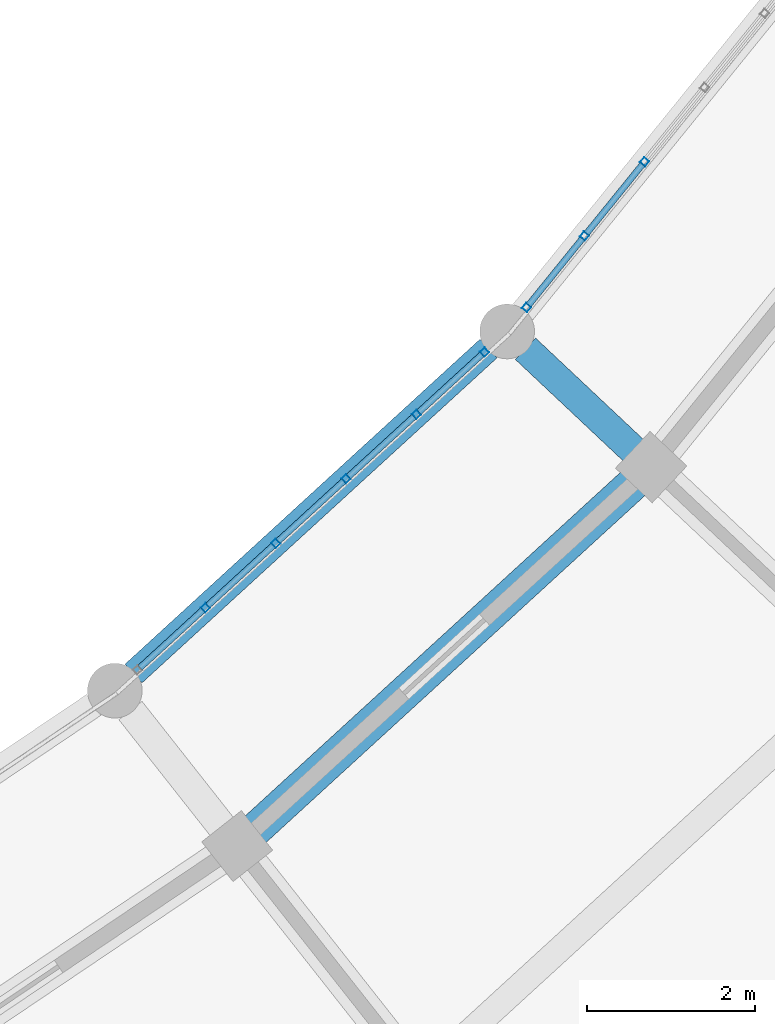
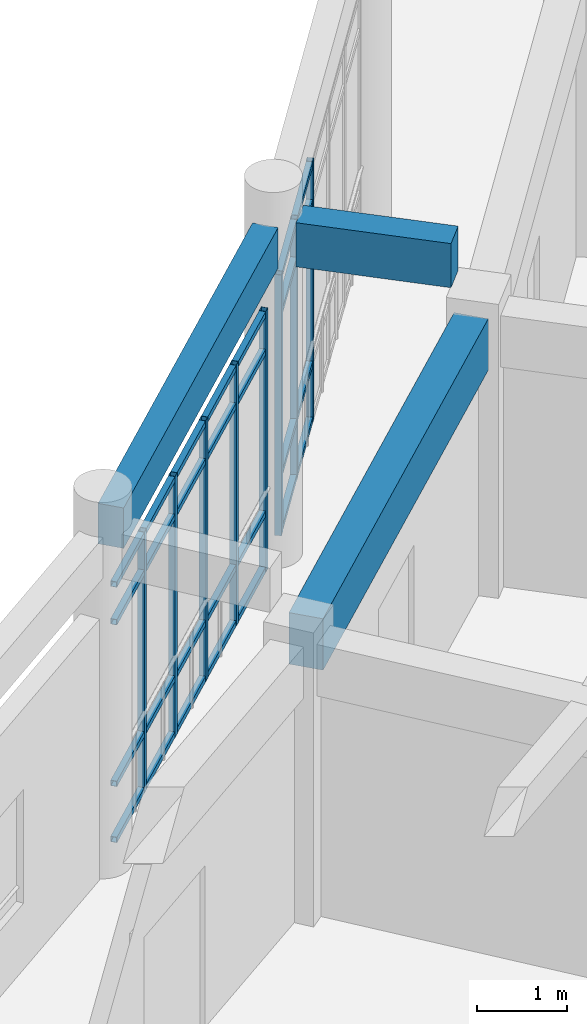
# One storey, part 43 of 159: 36 members, 3 beams, 2 elements without a shape of their own.
"""IFC4 building model written with IfcOpenShell, lengths in metres."""

from ifc_helpers import new_model, si_unit, direction, frame, origin, origin_2d, place, context, subcontext, project, spatial, rectangle, hollow_rectangle, extrude, material, material_profile, profile_set, type_object, element, aggregate, save


model = new_model("IFC4")

# Units and contexts
model_context = context("Model", 3, precision=1e-05, world=origin(), true_north=direction((0.0, 1.0)))
body_context = subcontext(model_context, "Body", "Model", "MODEL_VIEW")
ifc_project = project(units=[si_unit("LENGTHUNIT", "METRE"), si_unit("AREAUNIT", "SQUARE_METRE"), si_unit("VOLUMEUNIT", "CUBIC_METRE"), si_unit("PLANEANGLEUNIT", "RADIAN"), si_unit("MASSUNIT", "GRAM", prefix="KILO")], contexts=[model_context])

# Site, building, storey
site_placement = place(None, origin())
site = spatial("IfcSite", under=ifc_project, at=site_placement, CompositionType="ELEMENT")
building_placement = place(site_placement, origin())
building = spatial("IfcBuilding", under=site, at=building_placement, Name="Celadon Cloister-Ring School", CompositionType="ELEMENT")
storey_placement = place(building_placement, frame((0.0, 0.0, 4.5)))
storey = spatial("IfcBuildingStorey", under=building, at=storey_placement, Name="L01", CompositionType="ELEMENT", Elevation=4.5)

# Beam
ifc_material_1 = material(Name="Concrete C35/45", Category="concrete")
ifc_material_profile_1 = material_profile(ifc_material_1, rectangle(XDim=0.35009765625, YDim=0.60009765625, at=origin_2d()), Name="RC350X600")
ifc_profile_set_1 = profile_set([ifc_material_profile_1], Name="Concrete C35/45")
beam_type_1 = type_object("IfcBeamType", Name="BT-02", PredefinedType="BEAM", material=ifc_profile_set_1)
beam_1_placement = place(storey_placement, frame((119.56494140625, 28.343017578125, 4.35009765625), z_axis=(-0.728438191737, 0.685111524366, 0.0), x_axis=(-0.685111524366, -0.728438191737, 0.0)))
element("IfcBeam", 1, at=beam_1_placement, inside=storey, type_object=beam_type_1, Name="Beam 0243", PredefinedType="BEAM", context=body_context, shape_type="SweptSolid", body=[
    extrude(rectangle(XDim=0.35009765625, YDim=0.60009765625, at=origin_2d()), origin(), (0.0, 0.0, 1.0), 1.77490234375),
])

# Curtain wall, members
ifc_material_2 = material(Name="Aluminium EN AW-6063 T6", Category="aluminium")
curtain_wall_type = type_object("IfcCurtainWallType", Name="CW-01", PredefinedType="USERDEFINED", material=ifc_material_2)
curtain_wall_1_placement = place(storey_placement, origin())
curtain_wall_1 = element("IfcCurtainWall", 2, at=curtain_wall_1_placement, inside=storey, type_object=curtain_wall_type, Name="Curtain Wall 0035", ObjectType="CURTAIN WALL", PredefinedType="USERDEFINED")
ifc_material_3 = material(Name="Aluminium EN AW-6063 T6", Category="aluminium")
ifc_material_profile_2 = material_profile(ifc_material_3, hollow_rectangle(XDim=0.080078125, YDim=0.080078125, WallThickness=0.00390625, at=origin_2d()), Name="RHS80X80X4")
ifc_profile_set_2 = profile_set([ifc_material_profile_2], Name="Aluminium EN AW-6063 T6")
member_type_1 = type_object("IfcMemberType", Name="CM-03", PredefinedType="MULLION", material=ifc_profile_set_2)
member_1_placement = place(storey_placement, frame((114.469970703125, 26.48291015625, 0.0), z_axis=(0.0, 0.0, 1.0), x_axis=(-0.675468961678, 0.737388419905, 0.0)))
member_1 = element("IfcMember", 3, at=member_1_placement, type_object=member_type_1, Name="CW-01 mullion 2", PredefinedType="MULLION", context=body_context, shape_type="SweptSolid", body=[
    extrude(hollow_rectangle(XDim=0.080078125, YDim=0.080078125, WallThickness=0.00390625, at=origin_2d()), origin(), (0.0, 0.0, 1.0), 3.550048828125),
])
member_2_placement = place(storey_placement, frame((115.305908203125, 27.24853515625, 0.0), z_axis=(0.0, 0.0, 1.0), x_axis=(-0.675468961678, 0.737388419905, 0.0)))
member_2 = element("IfcMember", 4, at=member_2_placement, type_object=member_type_1, Name="CW-01 mullion 3", PredefinedType="MULLION", context=body_context, shape_type="SweptSolid", body=[
    extrude(hollow_rectangle(XDim=0.080078125, YDim=0.080078125, WallThickness=0.00390625, at=origin_2d()), origin(), (0.0, 0.0, 1.0), 3.550048828125),
])
member_3_placement = place(storey_placement, frame((116.14208984375, 28.014404296875, 0.0), z_axis=(0.0, 0.0, 1.0), x_axis=(-0.675468961678, 0.737388419905, 0.0)))
member_3 = element("IfcMember", 5, at=member_3_placement, type_object=member_type_1, Name="CW-01 mullion 4", PredefinedType="MULLION", context=body_context, shape_type="SweptSolid", body=[
    extrude(hollow_rectangle(XDim=0.080078125, YDim=0.080078125, WallThickness=0.00390625, at=origin_2d()), origin(), (0.0, 0.0, 1.0), 3.550048828125),
])
member_4_placement = place(storey_placement, frame((116.97802734375, 28.7802734375, 0.0), z_axis=(0.0, 0.0, 1.0), x_axis=(-0.675468961678, 0.737388419905, 0.0)))
member_4 = element("IfcMember", 6, at=member_4_placement, type_object=member_type_1, Name="CW-01 mullion 5", PredefinedType="MULLION", context=body_context, shape_type="SweptSolid", body=[
    extrude(hollow_rectangle(XDim=0.080078125, YDim=0.080078125, WallThickness=0.00390625, at=origin_2d()), origin(), (0.0, 0.0, 1.0), 3.550048828125),
])
member_5_placement = place(storey_placement, frame((117.784423828125, 29.51904296875, 0.0), z_axis=(0.0, 0.0, 1.0), x_axis=(-0.675468961678, 0.737388419905, 0.0)))
member_5 = element("IfcMember", 7, at=member_5_placement, type_object=member_type_1, Name="CW-01 mullion 6", PredefinedType="MULLION", context=body_context, shape_type="SweptSolid", body=[
    extrude(hollow_rectangle(XDim=0.080078125, YDim=0.080078125, WallThickness=0.00390625, at=origin_2d()), origin(), (0.0, 0.0, 1.0), 3.550048828125),
])

curtain_wall_2_placement = place(storey_placement, origin())
curtain_wall_2 = element("IfcCurtainWall", 8, at=curtain_wall_2_placement, inside=storey, type_object=curtain_wall_type, Name="Curtain Wall 0036", ObjectType="CURTAIN WALL", PredefinedType="USERDEFINED")
member_6_placement = place(storey_placement, frame((118.2841796875, 30.048095703125, 0.0), z_axis=(0.0, 0.0, 1.0), x_axis=(-0.777068192474, 0.629416415615, 0.0)))
member_6 = element("IfcMember", 9, at=member_6_placement, type_object=member_type_1, Name="CW-01 mullion 1", PredefinedType="MULLION", context=body_context, shape_type="SweptSolid", body=[
    extrude(hollow_rectangle(XDim=0.080078125, YDim=0.080078125, WallThickness=0.00390625, at=origin_2d()), origin(), (0.0, 0.0, 1.0), 3.550048828125),
])
member_7_placement = place(storey_placement, frame((118.97265625, 30.89794921875, 0.0), z_axis=(0.0, 0.0, 1.0), x_axis=(-0.777068192474, 0.629416415615, 0.0)))
member_7 = element("IfcMember", 10, at=member_7_placement, type_object=member_type_1, Name="CW-01 mullion 2", PredefinedType="MULLION", context=body_context, shape_type="SweptSolid", body=[
    extrude(hollow_rectangle(XDim=0.080078125, YDim=0.080078125, WallThickness=0.00390625, at=origin_2d()), origin(), (0.0, 0.0, 1.0), 3.550048828125),
])
member_8_placement = place(storey_placement, frame((119.686279296875, 31.779052734375, 0.0), z_axis=(0.0, 0.0, 1.0), x_axis=(-0.777068192474, 0.629416415615, 0.0)))
member_8 = element("IfcMember", 11, at=member_8_placement, type_object=member_type_1, Name="CW-01 mullion 3", PredefinedType="MULLION", context=body_context, shape_type="SweptSolid", body=[
    extrude(hollow_rectangle(XDim=0.080078125, YDim=0.080078125, WallThickness=0.00390625, at=origin_2d()), origin(), (0.0, 0.0, 1.0), 3.550048828125),
])

# Member
ifc_material_4 = material(Name="Aluminium EN AW-6063 T6", Category="aluminium")
ifc_material_profile_3 = material_profile(ifc_material_4, hollow_rectangle(XDim=0.074951171875, YDim=0.074951171875, WallThickness=0.00390625, at=origin_2d()), Name="RHS75X75X4")
ifc_profile_set_3 = profile_set([ifc_material_profile_3], Name="Aluminium EN AW-6063 T6")
member_type_2 = type_object("IfcMemberType", Name="CTM-03", PredefinedType="USERDEFINED", material=ifc_profile_set_3)
member_9_placement = place(storey_placement, frame((113.69287109375, 25.77099609375, 0.03759765625), z_axis=(0.737374014786, 0.675484686961, 0.0), x_axis=(-0.675484686961, 0.737374014786, 0.0)))
member_9 = element("IfcMember", 12, at=member_9_placement, type_object=member_type_2, Name="CW-01 transom 1.1", ObjectType="TRANSOM", PredefinedType="USERDEFINED", context=body_context, shape_type="SweptSolid", body=[
    extrude(hollow_rectangle(XDim=0.074951171875, YDim=0.074951171875, WallThickness=0.00390625, at=origin_2d()), origin(), (0.0, 0.0, 1.0), 1.013916015625),
])

member_10_placement = place(storey_placement, frame((113.69287109375, 25.77099609375, 0.800048828125), z_axis=(0.737374014786, 0.675484686961, 0.0), x_axis=(-0.675484686961, 0.737374014786, 0.0)))
member_10 = element("IfcMember", 13, at=member_10_placement, type_object=member_type_2, Name="CW-01 transom 1.2", ObjectType="TRANSOM", PredefinedType="USERDEFINED", context=body_context, shape_type="SweptSolid", body=[
    extrude(hollow_rectangle(XDim=0.074951171875, YDim=0.074951171875, WallThickness=0.00390625, at=origin_2d()), origin(), (0.0, 0.0, 1.0), 1.013916015625),
])

member_11_placement = place(storey_placement, frame((113.69287109375, 25.77099609375, 3.0), z_axis=(0.737374014786, 0.675484686961, 0.0), x_axis=(-0.675484686961, 0.737374014786, 0.0)))
member_11 = element("IfcMember", 14, at=member_11_placement, type_object=member_type_2, Name="CW-01 transom 1.3", ObjectType="TRANSOM", PredefinedType="USERDEFINED", context=body_context, shape_type="SweptSolid", body=[
    extrude(hollow_rectangle(XDim=0.074951171875, YDim=0.074951171875, WallThickness=0.00390625, at=origin_2d()), origin(), (0.0, 0.0, 1.0), 1.013916015625),
])

member_12_placement = place(storey_placement, frame((113.69287109375, 25.77099609375, 3.512451171875), z_axis=(0.737374014786, 0.675484686961, 0.0), x_axis=(-0.675484686961, 0.737374014786, 0.0)))
member_12 = element("IfcMember", 15, at=member_12_placement, type_object=member_type_2, Name="CW-01 transom 1.4", ObjectType="TRANSOM", PredefinedType="USERDEFINED", context=body_context, shape_type="SweptSolid", body=[
    extrude(hollow_rectangle(XDim=0.074951171875, YDim=0.074951171875, WallThickness=0.00390625, at=origin_2d()), origin(), (0.0, 0.0, 1.0), 1.013916015625),
])

member_13_placement = place(storey_placement, frame((114.49951171875, 26.509765625, 0.03759765625), z_axis=(0.737356040012, 0.675504308097, 0.0), x_axis=(-0.675504308097, 0.737356040012, 0.0)))
member_13 = element("IfcMember", 16, at=member_13_placement, type_object=member_type_2, Name="CW-01 transom 2.1", ObjectType="TRANSOM", PredefinedType="USERDEFINED", context=body_context, shape_type="SweptSolid", body=[
    extrude(hollow_rectangle(XDim=0.074951171875, YDim=0.074951171875, WallThickness=0.00390625, at=origin_2d()), origin(), (0.0, 0.0, 1.0), 1.053955078125),
])

member_14_placement = place(storey_placement, frame((114.49951171875, 26.509765625, 0.800048828125), z_axis=(0.737356040012, 0.675504308097, 0.0), x_axis=(-0.675504308097, 0.737356040012, 0.0)))
member_14 = element("IfcMember", 17, at=member_14_placement, type_object=member_type_2, Name="CW-01 transom 2.2", ObjectType="TRANSOM", PredefinedType="USERDEFINED", context=body_context, shape_type="SweptSolid", body=[
    extrude(hollow_rectangle(XDim=0.074951171875, YDim=0.074951171875, WallThickness=0.00390625, at=origin_2d()), origin(), (0.0, 0.0, 1.0), 1.053955078125),
])

member_15_placement = place(storey_placement, frame((114.49951171875, 26.509765625, 3.0), z_axis=(0.737356040012, 0.675504308097, 0.0), x_axis=(-0.675504308097, 0.737356040012, 0.0)))
member_15 = element("IfcMember", 18, at=member_15_placement, type_object=member_type_2, Name="CW-01 transom 2.3", ObjectType="TRANSOM", PredefinedType="USERDEFINED", context=body_context, shape_type="SweptSolid", body=[
    extrude(hollow_rectangle(XDim=0.074951171875, YDim=0.074951171875, WallThickness=0.00390625, at=origin_2d()), origin(), (0.0, 0.0, 1.0), 1.053955078125),
])

member_16_placement = place(storey_placement, frame((114.49951171875, 26.509765625, 3.512451171875), z_axis=(0.737356040012, 0.675504308097, 0.0), x_axis=(-0.675504308097, 0.737356040012, 0.0)))
member_16 = element("IfcMember", 19, at=member_16_placement, type_object=member_type_2, Name="CW-01 transom 2.4", ObjectType="TRANSOM", PredefinedType="USERDEFINED", context=body_context, shape_type="SweptSolid", body=[
    extrude(hollow_rectangle(XDim=0.074951171875, YDim=0.074951171875, WallThickness=0.00390625, at=origin_2d()), origin(), (0.0, 0.0, 1.0), 1.053955078125),
])

member_17_placement = place(storey_placement, frame((115.33544921875, 27.275634765625, 0.03759765625), z_axis=(0.737471431409, 0.675378329424, 0.0), x_axis=(-0.675378329424, 0.737471431409, 0.0)))
member_17 = element("IfcMember", 20, at=member_17_placement, type_object=member_type_2, Name="CW-01 transom 3.1", ObjectType="TRANSOM", PredefinedType="USERDEFINED", context=body_context, shape_type="SweptSolid", body=[
    extrude(hollow_rectangle(XDim=0.074951171875, YDim=0.074951171875, WallThickness=0.00390625, at=origin_2d()), origin(), (0.0, 0.0, 1.0), 1.0537109375),
])

member_18_placement = place(storey_placement, frame((115.33544921875, 27.275634765625, 0.800048828125), z_axis=(0.737471431409, 0.675378329424, 0.0), x_axis=(-0.675378329424, 0.737471431409, 0.0)))
member_18 = element("IfcMember", 21, at=member_18_placement, type_object=member_type_2, Name="CW-01 transom 3.2", ObjectType="TRANSOM", PredefinedType="USERDEFINED", context=body_context, shape_type="SweptSolid", body=[
    extrude(hollow_rectangle(XDim=0.074951171875, YDim=0.074951171875, WallThickness=0.00390625, at=origin_2d()), origin(), (0.0, 0.0, 1.0), 1.0537109375),
])

member_19_placement = place(storey_placement, frame((115.33544921875, 27.275634765625, 3.0), z_axis=(0.737471431409, 0.675378329424, 0.0), x_axis=(-0.675378329424, 0.737471431409, 0.0)))
member_19 = element("IfcMember", 22, at=member_19_placement, type_object=member_type_2, Name="CW-01 transom 3.3", ObjectType="TRANSOM", PredefinedType="USERDEFINED", context=body_context, shape_type="SweptSolid", body=[
    extrude(hollow_rectangle(XDim=0.074951171875, YDim=0.074951171875, WallThickness=0.00390625, at=origin_2d()), origin(), (0.0, 0.0, 1.0), 1.0537109375),
])

member_20_placement = place(storey_placement, frame((115.33544921875, 27.275634765625, 3.512451171875), z_axis=(0.737471431409, 0.675378329424, 0.0), x_axis=(-0.675378329424, 0.737471431409, 0.0)))
member_20 = element("IfcMember", 23, at=member_20_placement, type_object=member_type_2, Name="CW-01 transom 3.4", ObjectType="TRANSOM", PredefinedType="USERDEFINED", context=body_context, shape_type="SweptSolid", body=[
    extrude(hollow_rectangle(XDim=0.074951171875, YDim=0.074951171875, WallThickness=0.00390625, at=origin_2d()), origin(), (0.0, 0.0, 1.0), 1.0537109375),
])

member_21_placement = place(storey_placement, frame((116.17138671875, 28.04150390625, 0.03759765625), z_axis=(0.737471431409, 0.675378329424, 0.0), x_axis=(-0.675378329424, 0.737471431409, 0.0)))
member_21 = element("IfcMember", 24, at=member_21_placement, type_object=member_type_2, Name="CW-01 transom 4.1", ObjectType="TRANSOM", PredefinedType="USERDEFINED", context=body_context, shape_type="SweptSolid", body=[
    extrude(hollow_rectangle(XDim=0.074951171875, YDim=0.074951171875, WallThickness=0.00390625, at=origin_2d()), origin(), (0.0, 0.0, 1.0), 1.0537109375),
])

member_22_placement = place(storey_placement, frame((116.17138671875, 28.04150390625, 0.800048828125), z_axis=(0.737471431409, 0.675378329424, 0.0), x_axis=(-0.675378329424, 0.737471431409, 0.0)))
member_22 = element("IfcMember", 25, at=member_22_placement, type_object=member_type_2, Name="CW-01 transom 4.2", ObjectType="TRANSOM", PredefinedType="USERDEFINED", context=body_context, shape_type="SweptSolid", body=[
    extrude(hollow_rectangle(XDim=0.074951171875, YDim=0.074951171875, WallThickness=0.00390625, at=origin_2d()), origin(), (0.0, 0.0, 1.0), 1.0537109375),
])

member_23_placement = place(storey_placement, frame((116.17138671875, 28.04150390625, 3.0), z_axis=(0.737471431409, 0.675378329424, 0.0), x_axis=(-0.675378329424, 0.737471431409, 0.0)))
member_23 = element("IfcMember", 26, at=member_23_placement, type_object=member_type_2, Name="CW-01 transom 4.3", ObjectType="TRANSOM", PredefinedType="USERDEFINED", context=body_context, shape_type="SweptSolid", body=[
    extrude(hollow_rectangle(XDim=0.074951171875, YDim=0.074951171875, WallThickness=0.00390625, at=origin_2d()), origin(), (0.0, 0.0, 1.0), 1.0537109375),
])

member_24_placement = place(storey_placement, frame((116.17138671875, 28.04150390625, 3.512451171875), z_axis=(0.737471431409, 0.675378329424, 0.0), x_axis=(-0.675378329424, 0.737471431409, 0.0)))
member_24 = element("IfcMember", 27, at=member_24_placement, type_object=member_type_2, Name="CW-01 transom 4.4", ObjectType="TRANSOM", PredefinedType="USERDEFINED", context=body_context, shape_type="SweptSolid", body=[
    extrude(hollow_rectangle(XDim=0.074951171875, YDim=0.074951171875, WallThickness=0.00390625, at=origin_2d()), origin(), (0.0, 0.0, 1.0), 1.0537109375),
])

member_25_placement = place(storey_placement, frame((117.007568359375, 28.80712890625, 0.03759765625), z_axis=(0.737374014786, 0.675484686961, 0.0), x_axis=(-0.675484686961, 0.737374014786, 0.0)))
member_25 = element("IfcMember", 28, at=member_25_placement, type_object=member_type_2, Name="CW-01 transom 5.1", ObjectType="TRANSOM", PredefinedType="USERDEFINED", context=body_context, shape_type="SweptSolid", body=[
    extrude(hollow_rectangle(XDim=0.074951171875, YDim=0.074951171875, WallThickness=0.00390625, at=origin_2d()), origin(), (0.0, 0.0, 1.0), 1.013916015625),
])

member_26_placement = place(storey_placement, frame((117.007568359375, 28.80712890625, 0.800048828125), z_axis=(0.737374014786, 0.675484686961, 0.0), x_axis=(-0.675484686961, 0.737374014786, 0.0)))
member_26 = element("IfcMember", 29, at=member_26_placement, type_object=member_type_2, Name="CW-01 transom 5.2", ObjectType="TRANSOM", PredefinedType="USERDEFINED", context=body_context, shape_type="SweptSolid", body=[
    extrude(hollow_rectangle(XDim=0.074951171875, YDim=0.074951171875, WallThickness=0.00390625, at=origin_2d()), origin(), (0.0, 0.0, 1.0), 1.013916015625),
])

member_27_placement = place(storey_placement, frame((117.007568359375, 28.80712890625, 3.0), z_axis=(0.737374014786, 0.675484686961, 0.0), x_axis=(-0.675484686961, 0.737374014786, 0.0)))
member_27 = element("IfcMember", 30, at=member_27_placement, type_object=member_type_2, Name="CW-01 transom 5.3", ObjectType="TRANSOM", PredefinedType="USERDEFINED", context=body_context, shape_type="SweptSolid", body=[
    extrude(hollow_rectangle(XDim=0.074951171875, YDim=0.074951171875, WallThickness=0.00390625, at=origin_2d()), origin(), (0.0, 0.0, 1.0), 1.013916015625),
])

member_28_placement = place(storey_placement, frame((117.007568359375, 28.80712890625, 3.512451171875), z_axis=(0.737374014786, 0.675484686961, 0.0), x_axis=(-0.675484686961, 0.737374014786, 0.0)))
member_28 = element("IfcMember", 31, at=member_28_placement, type_object=member_type_2, Name="CW-01 transom 5.4", ObjectType="TRANSOM", PredefinedType="USERDEFINED", context=body_context, shape_type="SweptSolid", body=[
    extrude(hollow_rectangle(XDim=0.074951171875, YDim=0.074951171875, WallThickness=0.00390625, at=origin_2d()), origin(), (0.0, 0.0, 1.0), 1.013916015625),
])

aggregate(curtain_wall_1, [member_1, member_2, member_3, member_4, member_5, member_9, member_10, member_11, member_12, member_13, member_14, member_15, member_16, member_17, member_18, member_19, member_20, member_21, member_22, member_23, member_24, member_25, member_26, member_27, member_28])

member_29_placement = place(storey_placement, frame((118.309326171875, 30.0791015625, 0.03759765625), z_axis=(0.629440643306, 0.777048567693, 0.0), x_axis=(-0.777048567693, 0.629440643306, 0.0)))
member_29 = element("IfcMember", 32, at=member_29_placement, type_object=member_type_2, Name="CW-01 transom 1.1", ObjectType="TRANSOM", PredefinedType="USERDEFINED", context=body_context, shape_type="SweptSolid", body=[
    extrude(hollow_rectangle(XDim=0.074951171875, YDim=0.074951171875, WallThickness=0.00390625, at=origin_2d()), origin(), (0.0, 0.0, 1.0), 1.013916015625),
])

member_30_placement = place(storey_placement, frame((118.309326171875, 30.0791015625, 0.800048828125), z_axis=(0.629440643306, 0.777048567693, 0.0), x_axis=(-0.777048567693, 0.629440643306, 0.0)))
member_30 = element("IfcMember", 33, at=member_30_placement, type_object=member_type_2, Name="CW-01 transom 1.2", ObjectType="TRANSOM", PredefinedType="USERDEFINED", context=body_context, shape_type="SweptSolid", body=[
    extrude(hollow_rectangle(XDim=0.074951171875, YDim=0.074951171875, WallThickness=0.00390625, at=origin_2d()), origin(), (0.0, 0.0, 1.0), 1.013916015625),
])

member_31_placement = place(storey_placement, frame((118.309326171875, 30.0791015625, 3.0), z_axis=(0.629440643306, 0.777048567693, 0.0), x_axis=(-0.777048567693, 0.629440643306, 0.0)))
member_31 = element("IfcMember", 34, at=member_31_placement, type_object=member_type_2, Name="CW-01 transom 1.3", ObjectType="TRANSOM", PredefinedType="USERDEFINED", context=body_context, shape_type="SweptSolid", body=[
    extrude(hollow_rectangle(XDim=0.074951171875, YDim=0.074951171875, WallThickness=0.00390625, at=origin_2d()), origin(), (0.0, 0.0, 1.0), 1.013916015625),
])

member_32_placement = place(storey_placement, frame((118.309326171875, 30.0791015625, 3.512451171875), z_axis=(0.629440643306, 0.777048567693, 0.0), x_axis=(-0.777048567693, 0.629440643306, 0.0)))
member_32 = element("IfcMember", 35, at=member_32_placement, type_object=member_type_2, Name="CW-01 transom 1.4", ObjectType="TRANSOM", PredefinedType="USERDEFINED", context=body_context, shape_type="SweptSolid", body=[
    extrude(hollow_rectangle(XDim=0.074951171875, YDim=0.074951171875, WallThickness=0.00390625, at=origin_2d()), origin(), (0.0, 0.0, 1.0), 1.013916015625),
])

member_33_placement = place(storey_placement, frame((118.997802734375, 30.92919921875, 0.03759765625), z_axis=(0.629571440505, 0.776942598459, 0.0), x_axis=(-0.776942598459, 0.629571440505, 0.0)))
member_33 = element("IfcMember", 36, at=member_33_placement, type_object=member_type_2, Name="CW-01 transom 2.1", ObjectType="TRANSOM", PredefinedType="USERDEFINED", context=body_context, shape_type="SweptSolid", body=[
    extrude(hollow_rectangle(XDim=0.074951171875, YDim=0.074951171875, WallThickness=0.00390625, at=origin_2d()), origin(), (0.0, 0.0, 1.0), 1.0537109375),
])

member_34_placement = place(storey_placement, frame((118.997802734375, 30.92919921875, 0.800048828125), z_axis=(0.629571440505, 0.776942598459, 0.0), x_axis=(-0.776942598459, 0.629571440505, 0.0)))
member_34 = element("IfcMember", 37, at=member_34_placement, type_object=member_type_2, Name="CW-01 transom 2.2", ObjectType="TRANSOM", PredefinedType="USERDEFINED", context=body_context, shape_type="SweptSolid", body=[
    extrude(hollow_rectangle(XDim=0.074951171875, YDim=0.074951171875, WallThickness=0.00390625, at=origin_2d()), origin(), (0.0, 0.0, 1.0), 1.0537109375),
])

member_35_placement = place(storey_placement, frame((118.997802734375, 30.92919921875, 3.0), z_axis=(0.629571440505, 0.776942598459, 0.0), x_axis=(-0.776942598459, 0.629571440505, 0.0)))
member_35 = element("IfcMember", 38, at=member_35_placement, type_object=member_type_2, Name="CW-01 transom 2.3", ObjectType="TRANSOM", PredefinedType="USERDEFINED", context=body_context, shape_type="SweptSolid", body=[
    extrude(hollow_rectangle(XDim=0.074951171875, YDim=0.074951171875, WallThickness=0.00390625, at=origin_2d()), origin(), (0.0, 0.0, 1.0), 1.0537109375),
])

member_36_placement = place(storey_placement, frame((118.997802734375, 30.92919921875, 3.512451171875), z_axis=(0.629571440505, 0.776942598459, 0.0), x_axis=(-0.776942598459, 0.629571440505, 0.0)))
member_36 = element("IfcMember", 39, at=member_36_placement, type_object=member_type_2, Name="CW-01 transom 2.4", ObjectType="TRANSOM", PredefinedType="USERDEFINED", context=body_context, shape_type="SweptSolid", body=[
    extrude(hollow_rectangle(XDim=0.074951171875, YDim=0.074951171875, WallThickness=0.00390625, at=origin_2d()), origin(), (0.0, 0.0, 1.0), 1.0537109375),
])

aggregate(curtain_wall_2, [member_6, member_7, member_8, member_29, member_30, member_31, member_32, member_33, member_34, member_35, member_36])

# Beams
ifc_material_5 = material(Name="Concrete C35/45", Category="concrete")
ifc_material_profile_4 = material_profile(ifc_material_5, rectangle(XDim=0.39990234375, YDim=0.699951171875, at=origin_2d()), Name="RC400X700")
ifc_profile_set_4 = profile_set([ifc_material_profile_4], Name="Concrete C35/45")
beam_type_2 = type_object("IfcBeamType", Name="GT-03", PredefinedType="USERDEFINED", material=ifc_profile_set_4)
beam_2_placement = place(storey_placement, frame((115.051025390625, 23.837890625, 3.429931640625), z_axis=(0.737556649421, 0.675285264829, 0.0), x_axis=(-0.675285264829, 0.737556649421, 0.0)))
element("IfcBeam", 40, at=beam_2_placement, inside=storey, type_object=beam_type_2, Name="Beam 0348", ObjectType="GIRDER", PredefinedType="USERDEFINED", context=body_context, shape_type="SweptSolid", body=[
    extrude(rectangle(XDim=0.39990234375, YDim=0.699951171875, at=origin_2d()), origin(), (0.0, 0.0, 1.0), 6.1162109375),
])
ifc_material_6 = material(Name="Concrete C35/45", Category="concrete")
ifc_material_profile_5 = material_profile(ifc_material_6, rectangle(XDim=0.300048828125, YDim=0.550048828125, at=origin_2d()), Name="RC300X550")
ifc_profile_set_5 = profile_set([ifc_material_profile_5], Name="Concrete C35/45")
beam_type_3 = type_object("IfcBeamType", Name="SP-02", PredefinedType="SPANDREL", material=ifc_profile_set_5)
beam_3_placement = place(storey_placement, frame((113.614990234375, 25.700927734375, 4.375), z_axis=(0.737627139735, 0.675208266187, 0.0), x_axis=(-0.675208266187, 0.737627139735, 0.0)))
element("IfcBeam", 41, at=beam_3_placement, inside=storey, type_object=beam_type_3, Name="Beam 0349", PredefinedType="SPANDREL", context=body_context, shape_type="SweptSolid", body=[
    extrude(rectangle(XDim=0.300048828125, YDim=0.550048828125, at=origin_2d()), origin(), (0.0, 0.0, 1.0), 5.71826171875),
])

save(model, "model.ifc")
